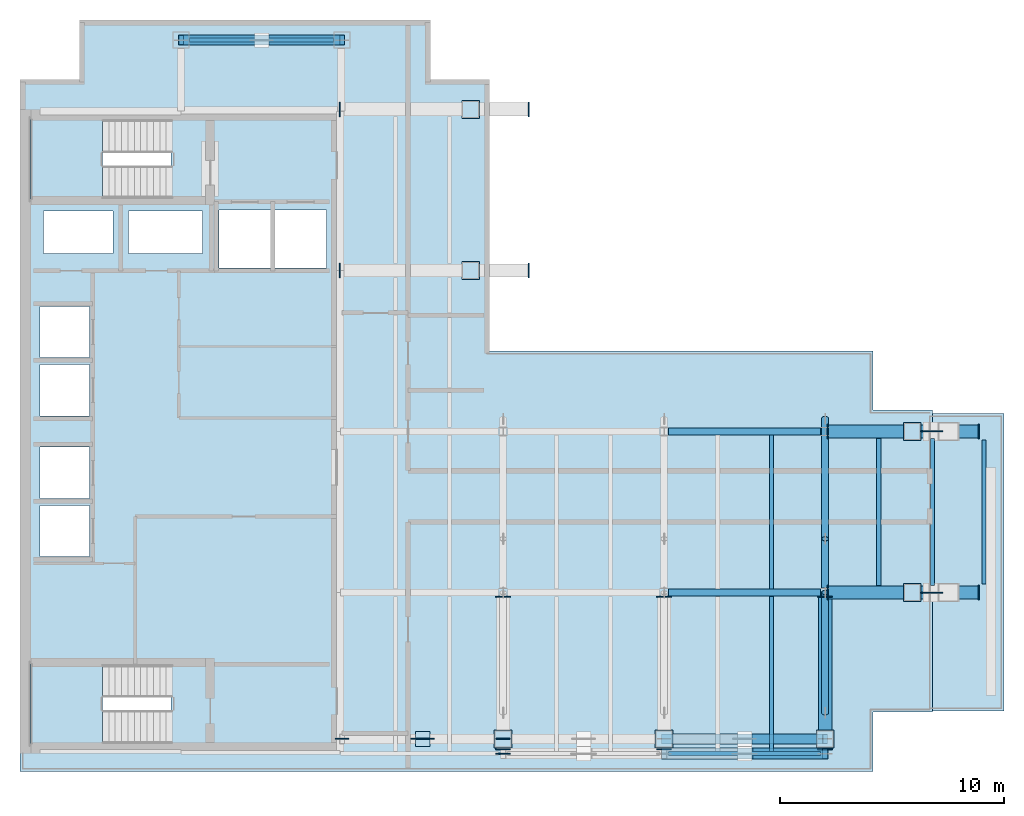
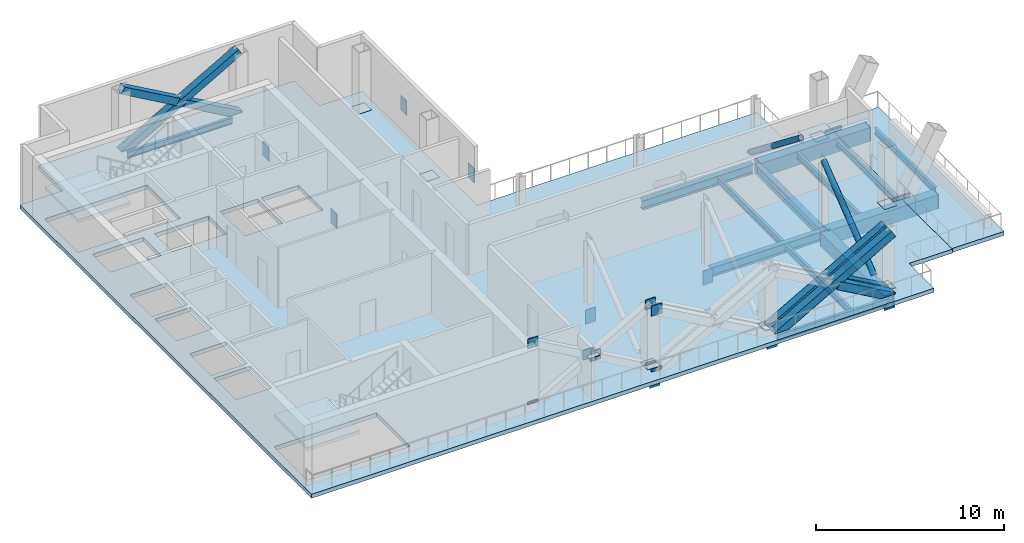
# One storey, part 2 of 6: 32 plates, 13 beams, 9 members, 4 slabs, 10 openings, 2 elements without a shape of their own.
"""IFC4 building model written with IfcOpenShell, lengths in metres."""

from ifc_helpers import new_model, si_unit, direction, frame, origin, origin_2d, place, context, subcontext, project, spatial, polyline, rectangle, hollow_rectangle, hollow_circle, i_section, outline, extrude, material, layer, layer_set, material_profile, profile_set, type_object, element, aggregate, save


model = new_model("IFC4")

# Units and contexts
model_context = context("Model", 3, precision=1e-05, world=origin(), true_north=direction((0.0, 1.0)))
body_context = subcontext(model_context, "Body", "Model", "MODEL_VIEW")
ifc_project = project(units=[si_unit("LENGTHUNIT", "METRE"), si_unit("AREAUNIT", "SQUARE_METRE"), si_unit("VOLUMEUNIT", "CUBIC_METRE"), si_unit("PLANEANGLEUNIT", "RADIAN"), si_unit("MASSUNIT", "GRAM", prefix="KILO")], contexts=[model_context])

# Site, building, storey
site_placement = place(None, origin())
site = spatial("IfcSite", under=ifc_project, at=site_placement, CompositionType="ELEMENT")
building_placement = place(site_placement, origin())
building = spatial("IfcBuilding", under=site, at=building_placement, Name="Cobrela Telecom Tower", CompositionType="ELEMENT")
storey_placement = place(building_placement, frame((0.0, 0.0, 232.75)))
storey = spatial("IfcBuildingStorey", under=building, at=storey_placement, Name="L60", CompositionType="ELEMENT", Elevation=232.75)

# Beams
ifc_material_1 = material(Name="Steel ASTM A992 Grade 50", Category="steel")
ifc_material_profile_1 = material_profile(ifc_material_1, i_section(OverallWidth=0.324951171875, OverallDepth=0.612060546875, WebThickness=0.0126953125, FlangeThickness=0.01904296875, FilletRadius=0.014892578125, at=origin_2d()), Name="W24X104")
ifc_profile_set_1 = profile_set([ifc_material_profile_1], Name="Steel ASTM A992 Grade 50")
beam_type_1 = type_object("IfcBeamType", Name="BM-GIRD-07", PredefinedType="USERDEFINED", material=ifc_profile_set_1)
for number, where, z_axis, x_axis, name in (
    (1, (29.00439453125, 14.39990234375, -0.56591796875), (1.0, 0.0, 0.0), (0.0, 1.0, 0.0), "L60 Primary Girder X08"),
    (2, (29.00439453125, 21.60009765625, -0.56591796875), (1.0, 0.0, 0.0), (0.0, 1.0, 0.0), "L60 Primary Girder X11"),
    (3, (36.0, 14.6044921875, -0.56591796875), (0.0, 1.0, 0.0), (-1.0, 0.0, 0.0), "L60 Primary Girder Y23"),
):
    element("IfcBeam", number, at=place(storey_placement, frame(where, z_axis=z_axis, x_axis=x_axis)), inside=storey, type_object=beam_type_1, Name=name, ObjectType="GIRDER", PredefinedType="USERDEFINED", context=body_context, shape_type="SweptSolid", body=[
        extrude(i_section(OverallWidth=0.324951171875, OverallDepth=0.612060546875, WebThickness=0.0126953125, FlangeThickness=0.01904296875, FilletRadius=0.014892578125, at=origin_2d()), origin(), (0.0, 0.0, 1.0), 6.791015625),
    ])
ifc_material_profile_2 = material_profile(ifc_material_1, i_section(OverallWidth=0.179931640625, OverallDepth=0.4169921875, WebThickness=0.010986328125, FlangeThickness=0.01806640625, FilletRadius=0.011962890625, at=origin_2d()), Name="W16X57")
ifc_profile_set_2 = profile_set([ifc_material_profile_2], Name="Steel ASTM A992 Grade 50")
beam_type_2 = type_object("IfcBeamType", Name="BM-JOIST-04", PredefinedType="JOIST", material=ifc_profile_set_2)
beam_1_placement = place(storey_placement, frame((33.60009765625, 7.294921875, -0.468505859375), z_axis=(0.0, 1.0, 0.0), x_axis=(-1.0, 0.0, 0.0)))
element("IfcBeam", 4, at=beam_1_placement, inside=storey, type_object=beam_type_2, Name="L60 Secondary Composite Floor Beam J15", PredefinedType="JOIST", context=body_context, shape_type="SweptSolid", body=[
    extrude(i_section(OverallWidth=0.179931640625, OverallDepth=0.4169921875, WebThickness=0.010986328125, FlangeThickness=0.01806640625, FilletRadius=0.011962890625, at=origin_2d()), origin(), (0.0, 0.0, 1.0), 6.9375),
])
beam_2_placement = place(storey_placement, frame((33.60009765625, 14.5673828125, -0.468505859375), z_axis=(0.0, 1.0, 0.0), x_axis=(-1.0, 0.0, 0.0)))
element("IfcBeam", 5, at=beam_2_placement, inside=storey, type_object=beam_type_2, Name="L60 Secondary Composite Floor Beam J16", PredefinedType="JOIST", context=body_context, shape_type="SweptSolid", body=[
    extrude(i_section(OverallWidth=0.179931640625, OverallDepth=0.4169921875, WebThickness=0.010986328125, FlangeThickness=0.01806640625, FilletRadius=0.011962890625, at=origin_2d()), origin(), (0.0, 0.0, 1.0), 6.865234375),
])
for number, where, z_axis, x_axis, name in (
    (6, (38.39990234375, 14.705078125, -0.468505859375), (0.0, 1.0, 0.0), (-1.0, 0.0, 0.0), "L60 Secondary Composite Floor Beam J17"),
    (7, (40.800048828125, 14.705078125, -0.468505859375), (0.0, 1.0, 0.0), (-1.0, 0.0, 0.0), "L60 Secondary Composite Floor Beam J18"),
):
    element("IfcBeam", number, at=place(storey_placement, frame(where, z_axis=z_axis, x_axis=x_axis)), inside=storey, type_object=beam_type_2, Name=name, PredefinedType="JOIST", context=body_context, shape_type="SweptSolid", body=[
        extrude(i_section(OverallWidth=0.179931640625, OverallDepth=0.4169921875, WebThickness=0.010986328125, FlangeThickness=0.01806640625, FilletRadius=0.011962890625, at=origin_2d()), origin(), (0.0, 0.0, 1.0), 6.58984375),
    ])
ifc_material_profile_3 = material_profile(ifc_material_1, i_section(OverallWidth=0.179931640625, OverallDepth=0.4169921875, WebThickness=0.010986328125, FlangeThickness=0.01806640625, FilletRadius=0.011962890625, at=origin_2d()), Name="W16X57")
ifc_profile_set_3 = profile_set([ifc_material_profile_3], Name="Steel ASTM A992 Grade 50")
beam_type_3 = type_object("IfcBeamType", Name="BM-SPAND-06", PredefinedType="SPANDREL", material=ifc_profile_set_3)
beam_3_placement = place(storey_placement, frame((29.00439453125, 7.199951171875, -0.468505859375), z_axis=(1.0, 0.0, 0.0), x_axis=(0.0, 1.0, 0.0)))
element("IfcBeam", 8, at=beam_3_placement, inside=storey, type_object=beam_type_3, Name="L60 Perimeter Spandrel X05", PredefinedType="SPANDREL", context=body_context, shape_type="SweptSolid", body=[
    extrude(i_section(OverallWidth=0.179931640625, OverallDepth=0.4169921875, WebThickness=0.010986328125, FlangeThickness=0.01806640625, FilletRadius=0.011962890625, at=origin_2d()), origin(), (0.0, 0.0, 1.0), 6.791015625),
])
for number, where, z_axis, x_axis, name in (
    (9, (7.580078125, 39.10009765625, -0.468505859375), (1.0, 0.0, 0.0), (0.0, 1.0, 0.0), "L60 Perimeter Spandrel X14"),
    (10, (43.10009765625, 14.780029296875, -0.468505859375), (0.0, 1.0, 0.0), (-1.0, 0.0, 0.0), "L60 Perimeter Spandrel Y24"),
):
    element("IfcBeam", number, at=place(storey_placement, frame(where, z_axis=z_axis, x_axis=x_axis)), inside=storey, type_object=beam_type_3, Name=name, PredefinedType="SPANDREL", context=body_context, shape_type="SweptSolid", body=[
        extrude(i_section(OverallWidth=0.179931640625, OverallDepth=0.4169921875, WebThickness=0.010986328125, FlangeThickness=0.01806640625, FilletRadius=0.011962890625, at=origin_2d()), origin(), (0.0, 0.0, 1.0), 6.43994140625),
    ])
ifc_material_2 = material(Name="Steel ASTM A572 Grade 50", Category="steel")
ifc_material_profile_4 = material_profile(ifc_material_2, hollow_rectangle(XDim=0.60009765625, YDim=0.89990234375, WallThickness=0.044921875, at=origin_2d()), Name="BOX 900x600x45")
ifc_profile_set_4 = profile_set([ifc_material_profile_4], Name="Steel ASTM A572 Grade 50")
beam_type_4 = type_object("IfcBeamType", Name="BM-TRG-900", PredefinedType="USERDEFINED", material=ifc_profile_set_4)
for number, where, z_axis, x_axis, name in (
    (11, (36.14990234375, 14.39990234375, -0.7099609375), (1.0, 0.0, 0.0), (0.0, 1.0, 0.0), "L60 Block-4 Cantilever Strut Footing Transfer Beam 1"),
    (12, (36.14990234375, 21.60009765625, -0.7099609375), (1.0, 0.0, 0.0), (0.0, 1.0, 0.0), "L60 Block-4 Cantilever Strut Footing Transfer Beam 2"),
):
    element("IfcBeam", number, at=place(storey_placement, frame(where, z_axis=z_axis, x_axis=x_axis)), inside=storey, type_object=beam_type_4, Name=name, ObjectType="GIRDER", PredefinedType="USERDEFINED", context=body_context, shape_type="SweptSolid", body=[
        extrude(hollow_rectangle(XDim=0.60009765625, YDim=0.89990234375, WallThickness=0.044921875, at=origin_2d()), origin(), (0.0, 0.0, 1.0), 6.7001953125),
    ])
beam_4_placement = place(storey_placement, frame((36.0, 7.404541015625, -0.7099609375), z_axis=(0.0, 1.0, 0.0), x_axis=(-1.0, 0.0, 0.0)))
element("IfcBeam", 13, at=beam_4_placement, inside=storey, type_object=beam_type_4, Name="L60 Transfer Girder 05", ObjectType="GIRDER", PredefinedType="USERDEFINED", context=body_context, shape_type="SweptSolid", body=[
    extrude(hollow_rectangle(XDim=0.60009765625, YDim=0.89990234375, WallThickness=0.044921875, at=origin_2d()), origin(), (0.0, 0.0, 1.0), 6.791015625),
])

# Members
ifc_material_profile_5 = material_profile(ifc_material_2, hollow_rectangle(XDim=0.449951171875, YDim=0.449951171875, WallThickness=0.02197265625, at=origin_2d()), Name="HSS 450x450x22")
ifc_profile_set_5 = profile_set([ifc_material_profile_5], Name="Steel ASTM A572 Grade 50")
member_type_1 = type_object("IfcMemberType", Name="MBR-BELT", PredefinedType="BRACE", material=ifc_profile_set_5)
member_1_placement = place(storey_placement, frame((28.800048828125, 7.85009765625, -0.139892578125), z_axis=(0.870029356437, 0.0, 0.492999917786), x_axis=(0.0, 1.0, 0.0)))
element("IfcMember", 14, at=member_1_placement, inside=storey, type_object=member_type_1, Name="L60 South Perimeter Belt Truss Brace 05 Continuous A", PredefinedType="BRACE", context=body_context, shape_type="SweptSolid", body=[
    extrude(hollow_rectangle(XDim=0.449951171875, YDim=0.449951171875, WallThickness=0.02197265625, at=origin_2d()), origin(), (0.0, 0.0, 1.0), 8.275634765625),
])
member_2_placement = place(storey_placement, frame((36.0, 7.85009765625, -0.139892578125), z_axis=(-0.870027575493, 0.0, 0.493003060723), x_axis=(0.0, -1.0, 0.0)))
element("IfcMember", 15, at=member_2_placement, inside=storey, type_object=member_type_1, Name="L60 South Perimeter Belt Truss Brace 05 Split B1", PredefinedType="BRACE", context=body_context, shape_type="SweptSolid", body=[
    extrude(hollow_rectangle(XDim=0.449951171875, YDim=0.449951171875, WallThickness=0.02197265625, at=origin_2d()), origin(), (0.0, 0.0, 1.0), 3.885986328125),
])
member_3_placement = place(storey_placement, frame((7.199951171875, 39.10009765625, -0.139892578125), z_axis=(0.870029356437, 0.0, 0.492999917786), x_axis=(0.0, 1.0, 0.0)))
element("IfcMember", 16, at=member_3_placement, inside=storey, type_object=member_type_1, Name="L60 North Perimeter Belt Truss Brace 06 Continuous A", PredefinedType="BRACE", context=body_context, shape_type="SweptSolid", body=[
    extrude(hollow_rectangle(XDim=0.449951171875, YDim=0.449951171875, WallThickness=0.02197265625, at=origin_2d()), origin(), (0.0, 0.0, 1.0), 8.275634765625),
])
member_4_placement = place(storey_placement, frame((14.39990234375, 39.10009765625, -0.139892578125), z_axis=(-0.870012304024, 0.0, 0.493030010087), x_axis=(0.0, -1.0, 0.0)))
element("IfcMember", 17, at=member_4_placement, inside=storey, type_object=member_type_1, Name="L60 North Perimeter Belt Truss Brace 06 Split B1", PredefinedType="BRACE", context=body_context, shape_type="SweptSolid", body=[
    extrude(hollow_rectangle(XDim=0.449951171875, YDim=0.449951171875, WallThickness=0.02197265625, at=origin_2d()), origin(), (0.0, 0.0, 1.0), 3.8857421875),
])
member_5_placement = place(storey_placement, frame((10.580810546875, 39.10009765625, 2.024169921875), z_axis=(-0.870027575493, 0.0, 0.493003060723), x_axis=(0.0, -1.0, 0.0)))
element("IfcMember", 18, at=member_5_placement, inside=storey, type_object=member_type_1, Name="L60 North Perimeter Belt Truss Brace 06 Split B2", PredefinedType="BRACE", context=body_context, shape_type="SweptSolid", body=[
    extrude(hollow_rectangle(XDim=0.449951171875, YDim=0.449951171875, WallThickness=0.02197265625, at=origin_2d()), origin(), (0.0, 0.0, 1.0), 3.885986328125),
])
ifc_material_profile_6 = material_profile(ifc_material_2, hollow_rectangle(XDim=0.5, YDim=0.5, WallThickness=0.02490234375, at=origin_2d()), Name="HSS 500x500x25")
ifc_profile_set_6 = profile_set([ifc_material_profile_6], Name="Steel ASTM A572 Grade 50")
member_type_2 = type_object("IfcMemberType", Name="MBR-OUTRIGGER", PredefinedType="BRACE", material=ifc_profile_set_6)
member_6_placement = place(storey_placement, frame((28.800048828125, 7.199951171875, -0.139892578125), z_axis=(0.870029356437, 0.0, 0.492999917786), x_axis=(0.0, 1.0, 0.0)))
element("IfcMember", 19, at=member_6_placement, inside=storey, type_object=member_type_2, Name="L60 Outrigger Truss Brace 02 Continuous A", PredefinedType="BRACE", context=body_context, shape_type="SweptSolid", body=[
    extrude(hollow_rectangle(XDim=0.5, YDim=0.5, WallThickness=0.02490234375, at=origin_2d()), origin(), (0.0, 0.0, 1.0), 8.275634765625),
])
member_7_placement = place(storey_placement, frame((36.0, 7.199951171875, -0.139892578125), z_axis=(-0.87003666269, 0.0, 0.492987023739), x_axis=(0.0, -1.0, 0.0)))
element("IfcMember", 20, at=member_7_placement, inside=storey, type_object=member_type_2, Name="L60 Outrigger Truss Brace 02 Split B1", PredefinedType="BRACE", context=body_context, shape_type="SweptSolid", body=[
    extrude(hollow_rectangle(XDim=0.5, YDim=0.5, WallThickness=0.02490234375, at=origin_2d()), origin(), (0.0, 0.0, 1.0), 3.85791015625),
])
ifc_material_profile_7 = material_profile(ifc_material_2, hollow_circle(Radius=0.162109375, WallThickness=0.01611328125, at=origin_2d()), Name="CHS 324x16")
ifc_profile_set_7 = profile_set([ifc_material_profile_7], Name="Steel ASTM A572 Grade 50")
member_type_3 = type_object("IfcMemberType", Name="MBR-TURB-SHROUD", PredefinedType="STRUT", material=ifc_profile_set_7)
for number, where, z_axis, x_axis, name in (
    (21, (36.0, 9.024169921875, 0.0), (0.0, 0.788012979637, 0.615658626127), (-1.0, 0.0, 0.0), "L60 Wind Turbine Shroud Frame 3S"),
    (22, (36.0, 22.17578125, 0.0), (0.0, -0.788012979637, 0.615658626127), (1.0, 0.0, 0.0), "L60 Wind Turbine Shroud Frame 3N"),
):
    element("IfcMember", number, at=place(storey_placement, frame(where, z_axis=z_axis, x_axis=x_axis)), inside=storey, type_object=member_type_3, Name=name, PredefinedType="STRUT", context=body_context, shape_type="SweptSolid", body=[
        extrude(hollow_circle(Radius=0.162109375, WallThickness=0.01611328125, at=origin_2d()), origin(), (0.0, 0.0, 1.0), 6.82177734375),
    ])

# Plates
ifc_layer_1 = layer(ifc_material_2, 0.044921875)
ifc_layer_set_1 = layer_set([ifc_layer_1], Name="Steel ASTM A572 Grade 50")
plate_type_1 = type_object("IfcPlateType", Name="PLT-END-CAP-45", PredefinedType="SHEET", material=ifc_layer_set_1)
for number, where, z_axis, x_axis, name in (
    (23, (20.14990234375, 28.800048828125, -0.04248046875), (0.0, 0.0, 1.0), (1.0, 0.0, 0.0), "L60 Stepped Column Base Cap Plate 74"),
    (24, (20.14990234375, 36.0, -0.04248046875), (0.0, 0.0, 1.0), (1.0, 0.0, 0.0), "L60 Stepped Column Base Cap Plate 75"),
    (25, (21.60009765625, 7.85009765625, -0.04248046875), (0.0, 0.0, 1.0), (1.0, 0.0, 0.0), "L60 Stepped Column Base Cap Plate 76"),
    (26, (28.800048828125, 7.85009765625, -0.04248046875), (0.0, 0.0, 1.0), (1.0, 0.0, 0.0), "L60 Stepped Column Base Cap Plate 77"),
    (27, (36.0, 7.85009765625, -0.04248046875), (0.0, 0.0, 1.0), (1.0, 0.0, 0.0), "L60 Stepped Column Base Cap Plate 78"),
    (28, (39.89990234375, 14.39990234375, -0.04248046875), (0.0, 0.0, 1.0), (1.0, 0.0, 0.0), "L60 Stepped Column Base Cap Plate 79"),
    (29, (39.89990234375, 21.60009765625, -0.04248046875), (0.0, 0.0, 1.0), (1.0, 0.0, 0.0), "L60 Stepped Column Base Cap Plate 80"),
):
    element("IfcPlate", number, at=place(storey_placement, frame(where, z_axis=z_axis, x_axis=x_axis)), inside=storey, type_object=plate_type_1, Name=name, PredefinedType="SHEET", context=body_context, shape_type="SweptSolid", body=[
        extrude(rectangle(XDim=0.7900390625, YDim=0.7900390625, at=origin_2d()), origin(), (0.0, 0.0, 1.0), 0.044921875),
    ])
ifc_layer_2 = layer(ifc_material_2, 0.0419921875)
ifc_layer_set_2 = layer_set([ifc_layer_2], Name="Steel ASTM A572 Grade 50")
plate_type_2 = type_object("IfcPlateType", Name="PLT-NODE-ND11", PredefinedType="USERDEFINED", material=ifc_layer_set_2)
for number, where, z_axis, x_axis, name in (
    (30, (14.39990234375, 7.85009765625, -0.44482421875), (0.0, 0.0, 1.0), (1.0, 0.0, 0.0), "Steel node plate PLT-MBR-BELT-L60-S03-A-0"),
    (31, (21.60009765625, 7.85009765625, 3.634765625), (0.0, 0.0, 1.0), (1.0, 0.0, 0.0), "Steel node plate PLT-MBR-BELT-L60-S03-A-1"),
    (32, (21.60009765625, 7.85009765625, -0.44482421875), (0.0, 0.0, 1.0), (-1.0, 0.0, 0.0), "Steel node plate PLT-MBR-BELT-L60-S03-B1-0"),
    (33, (18.21923828125, 7.85009765625, 1.470703125), (0.0, 0.0, 1.0), (-1.0, 0.0, 0.0), "Steel node plate PLT-MBR-BELT-L60-S03-B1-1"),
    (34, (17.78076171875, 7.85009765625, 1.71923828125), (0.0, 0.0, 1.0), (-1.0, 0.0, 0.0), "Steel node plate PLT-MBR-BELT-L60-S03-B2-0"),
    (35, (14.39990234375, 7.85009765625, 3.634765625), (0.0, 0.0, 1.0), (-1.0, 0.0, 0.0), "Steel node plate PLT-MBR-BELT-L60-S03-B2-1"),
):
    element("IfcPlate", number, at=place(storey_placement, frame(where, z_axis=z_axis, x_axis=x_axis)), inside=storey, type_object=plate_type_2, Name=name, ObjectType="GUSSET PLATE", PredefinedType="USERDEFINED", context=body_context, shape_type="SweptSolid", body=[
        extrude(rectangle(XDim=0.610107421875, YDim=0.044921875, at=origin_2d()), origin(), (0.0, 0.0, 1.0), 0.610107421875),
    ])
plate_placement = place(storey_placement, frame((18.0, 7.85009765625, 1.87744140625), z_axis=(0.0, 0.0, 1.0), x_axis=(1.0, 0.0, 0.0)))
element("IfcPlate", 36, at=plate_placement, inside=storey, type_object=plate_type_2, Name="L60 South Perimeter Belt Truss Brace 03 Central X-Crossing Gusset Plate", ObjectType="GUSSET PLATE", PredefinedType="USERDEFINED", context=body_context, shape_type="SweptSolid", body=[
    extrude(rectangle(XDim=0.64990234375, YDim=0.64990234375, at=origin_2d()), origin(), (0.0, 0.0, 1.0), 0.044921875),
])
ifc_layer_3 = layer(ifc_material_2, 0.048095703125)
ifc_layer_set_3 = layer_set([ifc_layer_3], Name="Steel ASTM A572 Grade 50")
plate_type_3 = type_object("IfcPlateType", Name="PLT-NODE-ND4", PredefinedType="USERDEFINED", material=ifc_layer_set_3)
for number, where, z_axis, x_axis, name in (
    (37, (36.1298828125, 14.39990234375, -1.179931640625), (0.0, 0.0, 1.0), (1.0, 0.0, 0.0), "Steel node plate PLT-BM-CANT-FOOT-L60-1-C0"),
    (38, (42.8701171875, 14.39990234375, -1.179931640625), (0.0, 0.0, 1.0), (1.0, 0.0, 0.0), "Steel node plate PLT-BM-CANT-FOOT-L60-1-C1"),
    (39, (36.1298828125, 21.60009765625, -1.179931640625), (0.0, 0.0, 1.0), (1.0, 0.0, 0.0), "Steel node plate PLT-BM-CANT-FOOT-L60-2-C0"),
    (40, (42.8701171875, 21.60009765625, -1.179931640625), (0.0, 0.0, 1.0), (1.0, 0.0, 0.0), "Steel node plate PLT-BM-CANT-FOOT-L60-2-C1"),
    (41, (14.304931640625, 28.800048828125, -1.179931640625), (0.0, 0.0, 1.0), (1.0, 0.0, 0.0), "Steel node plate PLT-BM-L60-BM-TRG-900-X-288-143-C0"),
    (42, (22.739990234375, 28.800048828125, -1.179931640625), (0.0, 0.0, 1.0), (1.0, 0.0, 0.0), "Steel node plate PLT-BM-L60-BM-TRG-900-X-288-143-C1"),
    (43, (14.304931640625, 36.0, -1.179931640625), (0.0, 0.0, 1.0), (1.0, 0.0, 0.0), "Steel node plate PLT-BM-L60-BM-TRG-900-X-360-143-C0"),
    (44, (22.739990234375, 36.0, -1.179931640625), (0.0, 0.0, 1.0), (1.0, 0.0, 0.0), "Steel node plate PLT-BM-L60-BM-TRG-900-X-360-143-C1"),
    (45, (21.60009765625, 7.384521484375, -1.179931640625), (0.0, 0.0, 1.0), (0.0, 1.0, 0.0), "Steel node plate PLT-BM-L60-BM-TRG-900-Y-216-074-C0"),
    (46, (21.60009765625, 14.215576171875, -1.179931640625), (0.0, 0.0, 1.0), (0.0, 1.0, 0.0), "Steel node plate PLT-BM-L60-BM-TRG-900-Y-216-074-C1"),
    (47, (28.800048828125, 7.384521484375, -1.179931640625), (0.0, 0.0, 1.0), (0.0, 1.0, 0.0), "Steel node plate PLT-BM-L60-BM-TRG-900-Y-288-074-C0"),
    (48, (28.800048828125, 14.215576171875, -1.179931640625), (0.0, 0.0, 1.0), (0.0, 1.0, 0.0), "Steel node plate PLT-BM-L60-BM-TRG-900-Y-288-074-C1"),
    (49, (36.0, 7.384521484375, -1.179931640625), (0.0, 0.0, 1.0), (0.0, 1.0, 0.0), "Steel node plate PLT-BM-L60-BM-TRG-900-Y-360-074-C0"),
    (50, (36.0, 14.215576171875, -1.179931640625), (0.0, 0.0, 1.0), (0.0, 1.0, 0.0), "Steel node plate PLT-BM-L60-BM-TRG-900-Y-360-074-C1"),
):
    element("IfcPlate", number, at=place(storey_placement, frame(where, z_axis=z_axis, x_axis=x_axis)), inside=storey, type_object=plate_type_3, Name=name, ObjectType="GUSSET PLATE", PredefinedType="USERDEFINED", context=body_context, shape_type="SweptSolid", body=[
        extrude(rectangle(XDim=0.044921875, YDim=0.639892578125, at=origin_2d()), origin(), (0.0, 0.0, 1.0), 0.93994140625),
    ])
ifc_layer_4 = layer(ifc_material_2, 0.0419921875)
ifc_layer_set_4 = layer_set([ifc_layer_4], Name="Steel ASTM A572 Grade 50")
plate_type_4 = type_object("IfcPlateType", Name="PLT-NODE-ND6", PredefinedType="USERDEFINED", material=ifc_layer_set_4)
for number, where, z_axis, x_axis, name in (
    (51, (21.60009765625, 7.199951171875, -0.4697265625), (0.0, 0.0, 1.0), (1.0, 0.0, 0.0), "Steel node plate PLT-MBR-OUT-L60-01-A-0"),
    (52, (21.60009765625, 7.199951171875, 3.60986328125), (0.0, 0.0, 1.0), (-1.0, 0.0, 0.0), "Steel node plate PLT-MBR-OUT-L60-01-B2-1"),
):
    element("IfcPlate", number, at=place(storey_placement, frame(where, z_axis=z_axis, x_axis=x_axis)), inside=storey, type_object=plate_type_4, Name=name, ObjectType="GUSSET PLATE", PredefinedType="USERDEFINED", context=body_context, shape_type="SweptSolid", body=[
        extrude(rectangle(XDim=0.659912109375, YDim=0.044921875, at=origin_2d()), origin(), (0.0, 0.0, 1.0), 0.659912109375),
    ])
ifc_layer_5 = layer(ifc_material_2, 0.048095703125)
ifc_layer_set_5 = layer_set([ifc_layer_5], Name="Steel ASTM A572 Grade 50")
plate_type_5 = type_object("IfcPlateType", Name="PLT-NODE-ND9", PredefinedType="USERDEFINED", material=ifc_layer_set_5)
for number, where, z_axis, x_axis, name in (
    (53, (40.75, 14.39990234375, -0.76513671875), (0.0, 0.0, 1.0), (1.0, 0.0, 0.0), "Steel node plate PLT-CANT-FOOT-1"),
    (54, (40.75, 21.60009765625, -0.76513671875), (0.0, 0.0, 1.0), (1.0, 0.0, 0.0), "Steel node plate PLT-CANT-FOOT-2"),
):
    element("IfcPlate", number, at=place(storey_placement, frame(where, z_axis=z_axis, x_axis=x_axis)), inside=storey, type_object=plate_type_5, Name=name, ObjectType="GUSSET PLATE", PredefinedType="USERDEFINED", context=body_context, shape_type="SweptSolid", body=[
        extrude(rectangle(XDim=1.010009765625, YDim=0.044921875, at=origin_2d()), origin(), (0.0, 0.0, 1.0), 1.010009765625),
    ])

# Slab, openings
ifc_material_3 = material(Name="Concrete C40/50", Category="concrete")
ifc_layer_6 = layer(ifc_material_3, 0.260009765625)
ifc_layer_set_6 = layer_set([ifc_layer_6], Name="Concrete C40/50")
slab_type_1 = type_object("IfcSlabType", Name="SLAB-FLR-260", PredefinedType="FLOOR", material=ifc_layer_set_6)
slab_1_placement = place(storey_placement, frame((0.0, 0.0, -0.260009765625)))
slab_1 = element("IfcSlab", 55, at=slab_1_placement, inside=storey, type_object=slab_type_1, Name="L60 Structural Floor Slab", PredefinedType="FLOOR", context=body_context, shape_type="SweptSolid", body=[
    extrude(outline(polyline([(0.0, 6.39990234375), (38.14990234375, 6.39990234375), (38.14990234375, 9.050048828125), (40.800048828125, 9.050048828125), (40.800048828125, 22.550048828125), (38.14990234375, 22.550048828125), (38.14990234375, 25.199951171875), (21.0, 25.199951171875), (21.0, 37.35009765625), (18.35009765625, 37.35009765625), (18.35009765625, 40.0), (2.64990234375, 40.0), (2.64990234375, 37.35009765625), (0.0, 37.35009765625), (0.0, 6.39990234375)])), origin(), (0.0, 0.0, 1.0), 0.260009765625),
])
opening_1_placement = place(slab_1_placement, frame((0.0, 0.0, -0.02001953125)))
element("IfcOpeningElement", 56, at=opening_1_placement, cuts=slab_1, Name="Slab Shaft Opening SLAB-L60-MAIN.1", PredefinedType="OPENING", context=body_context, shape_type="SweptSolid", body=[
    extrude(outline(polyline([(8.89990234375, 28.89990234375), (11.199951171875, 28.89990234375), (11.199951171875, 31.5), (8.89990234375, 31.5), (8.89990234375, 28.89990234375)])), origin(), (0.0, 0.0, 1.0), 0.300048828125),
])
opening_2_placement = place(slab_1_placement, frame((0.0, 0.0, -0.02001953125)))
element("IfcOpeningElement", 57, at=opening_2_placement, cuts=slab_1, Name="Slab Shaft Opening SLAB-L60-MAIN.2", PredefinedType="OPENING", context=body_context, shape_type="SweptSolid", body=[
    extrude(outline(polyline([(11.39990234375, 28.89990234375), (13.699951171875, 28.89990234375), (13.699951171875, 31.5), (11.39990234375, 31.5), (11.39990234375, 28.89990234375)])), origin(), (0.0, 0.0, 1.0), 0.300048828125),
])
opening_3_placement = place(slab_1_placement, frame((0.0, 0.0, -0.02001953125)))
element("IfcOpeningElement", 58, at=opening_3_placement, cuts=slab_1, Name="Slab Shaft Opening SLAB-L60-MAIN.3", PredefinedType="OPENING", context=body_context, shape_type="SweptSolid", body=[
    extrude(outline(polyline([(0.89990234375, 16.0), (3.10009765625, 16.0), (3.10009765625, 18.300048828125), (0.89990234375, 18.300048828125), (0.89990234375, 16.0)])), origin(), (0.0, 0.0, 1.0), 0.300048828125),
])
opening_4_placement = place(slab_1_placement, frame((0.0, 0.0, -0.02001953125)))
element("IfcOpeningElement", 59, at=opening_4_placement, cuts=slab_1, Name="Slab Shaft Opening SLAB-L60-MAIN.4", PredefinedType="OPENING", context=body_context, shape_type="SweptSolid", body=[
    extrude(outline(polyline([(0.89990234375, 18.60009765625), (3.10009765625, 18.60009765625), (3.10009765625, 20.89990234375), (0.89990234375, 20.89990234375), (0.89990234375, 18.60009765625)])), origin(), (0.0, 0.0, 1.0), 0.300048828125),
])
opening_5_placement = place(slab_1_placement, frame((0.0, 0.0, -0.02001953125)))
element("IfcOpeningElement", 60, at=opening_5_placement, cuts=slab_1, Name="Slab Shaft Opening SLAB-L60-MAIN.5", PredefinedType="OPENING", context=body_context, shape_type="SweptSolid", body=[
    extrude(outline(polyline([(0.89990234375, 22.300048828125), (3.10009765625, 22.300048828125), (3.10009765625, 24.60009765625), (0.89990234375, 24.60009765625), (0.89990234375, 22.300048828125)])), origin(), (0.0, 0.0, 1.0), 0.300048828125),
])
opening_6_placement = place(slab_1_placement, frame((0.0, 0.0, -0.02001953125)))
element("IfcOpeningElement", 61, at=opening_6_placement, cuts=slab_1, Name="Slab Shaft Opening SLAB-L60-MAIN.6", PredefinedType="OPENING", context=body_context, shape_type="SweptSolid", body=[
    extrude(outline(polyline([(0.89990234375, 24.89990234375), (3.10009765625, 24.89990234375), (3.10009765625, 27.199951171875), (0.89990234375, 27.199951171875), (0.89990234375, 24.89990234375)])), origin(), (0.0, 0.0, 1.0), 0.300048828125),
])
opening_7_placement = place(slab_1_placement, frame((0.0, 0.0, -0.02001953125)))
element("IfcOpeningElement", 62, at=opening_7_placement, cuts=slab_1, Name="Slab Shaft Opening SLAB-L60-MAIN.7", PredefinedType="OPENING", context=body_context, shape_type="SweptSolid", body=[
    extrude(outline(polyline([(1.050048828125, 29.550048828125), (4.14990234375, 29.550048828125), (4.14990234375, 31.449951171875), (1.050048828125, 31.449951171875), (1.050048828125, 29.550048828125)])), origin(), (0.0, 0.0, 1.0), 0.300048828125),
])
opening_8_placement = place(slab_1_placement, frame((0.0, 0.0, -0.02001953125)))
element("IfcOpeningElement", 63, at=opening_8_placement, cuts=slab_1, Name="Slab Shaft Opening SLAB-L60-MAIN.8", PredefinedType="OPENING", context=body_context, shape_type="SweptSolid", body=[
    extrude(outline(polyline([(4.85009765625, 29.550048828125), (8.14990234375, 29.550048828125), (8.14990234375, 31.449951171875), (4.85009765625, 31.449951171875), (4.85009765625, 29.550048828125)])), origin(), (0.0, 0.0, 1.0), 0.300048828125),
])
opening_9_placement = place(slab_1_placement, frame((0.0, 0.0, -0.02001953125)))
element("IfcOpeningElement", 64, at=opening_9_placement, cuts=slab_1, Name="Slab Shaft Opening SLAB-L60-MAIN.9", PredefinedType="OPENING", context=body_context, shape_type="SweptSolid", body=[
    extrude(outline(polyline([(6.7548828125, 35.550048828125), (0.47998046875, 35.550048828125), (0.47998046875, 32.0), (6.7548828125, 32.0), (6.7548828125, 35.550048828125)])), origin(), (0.0, 0.0, 1.0), 0.300048828125),
])
opening_10_placement = place(slab_1_placement, frame((0.0, 0.0, -0.02001953125)))
element("IfcOpeningElement", 65, at=opening_10_placement, cuts=slab_1, Name="Slab Shaft Opening SLAB-L60-MAIN.10", PredefinedType="OPENING", context=body_context, shape_type="SweptSolid", body=[
    extrude(outline(polyline([(6.7548828125, 11.199951171875), (0.47998046875, 11.199951171875), (0.47998046875, 7.64990234375), (6.7548828125, 7.64990234375), (6.7548828125, 11.199951171875)])), origin(), (0.0, 0.0, 1.0), 0.300048828125),
])

# Stair, slab
stair_type = type_object("IfcStairType", Name="STAIR-CORE", PredefinedType="HALF_TURN_STAIR", material=ifc_material_3)
stair_1_placement = place(storey_placement, origin())
stair_1 = element("IfcStair", 66, at=stair_1_placement, inside=storey, type_object=stair_type, Name="L60 Smokeproof Exit Stair ST1", PredefinedType="HALF_TURN_STAIR")
ifc_layer_7 = layer(ifc_material_3, 0.199951171875)
ifc_layer_set_7 = layer_set([ifc_layer_7], Name="Concrete C40/50")
slab_type_2 = type_object("IfcSlabType", Name="SLAB-LAND-200", PredefinedType="LANDING", material=ifc_layer_set_7)
slab_2_placement = place(storey_placement, frame((0.0, 0.0, 1.89990234375)))
slab_2 = element("IfcSlab", 67, at=slab_2_placement, type_object=slab_type_2, Name="ST1 landing 1", PredefinedType="LANDING", context=body_context, shape_type="SweptSolid", body=[
    extrude(outline(polyline([(3.68505859375, 35.550048828125), (0.47998046875, 35.550048828125), (0.47998046875, 32.0), (3.68505859375, 32.0), (3.68505859375, 35.550048828125)])), origin(), (0.0, 0.0, 1.0), 0.2001953125),
])
aggregate(stair_1, [slab_2])

stair_2_placement = place(storey_placement, origin())
stair_2 = element("IfcStair", 68, at=stair_2_placement, inside=storey, type_object=stair_type, Name="L60 Smokeproof Exit Stair ST2", PredefinedType="HALF_TURN_STAIR")
slab_3_placement = place(storey_placement, frame((0.0, 0.0, 1.89990234375)))
slab_3 = element("IfcSlab", 69, at=slab_3_placement, type_object=slab_type_2, Name="ST2 landing 1", PredefinedType="LANDING", context=body_context, shape_type="SweptSolid", body=[
    extrude(outline(polyline([(3.68505859375, 11.199951171875), (0.47998046875, 11.199951171875), (0.47998046875, 7.64990234375), (3.68505859375, 7.64990234375), (3.68505859375, 11.199951171875)])), origin(), (0.0, 0.0, 1.0), 0.2001953125),
])
aggregate(stair_2, [slab_3])

# Slab
ifc_layer_8 = layer(ifc_material_3, 0.280029296875)
ifc_layer_set_8 = layer_set([ifc_layer_8], Name="Concrete C40/50")
slab_type_3 = type_object("IfcSlabType", Name="SLAB-TERR-280", PredefinedType="FLOOR", material=ifc_layer_set_8)
slab_4_placement = place(storey_placement, frame((0.0, 0.0, -0.260009765625)))
element("IfcSlab", 70, at=slab_4_placement, inside=storey, type_object=slab_type_3, Name="L60 Upper Andean Viewing Terrace", PredefinedType="FLOOR", context=body_context, shape_type="SweptSolid", body=[
    extrude(outline(polyline([(40.800048828125, 9.10009765625), (44.0, 9.10009765625), (44.0, 22.39990234375), (40.800048828125, 22.39990234375), (40.800048828125, 9.10009765625)])), origin(), (0.0, 0.0, 1.0), 0.260009765625),
])

save(model, "model.ifc")
